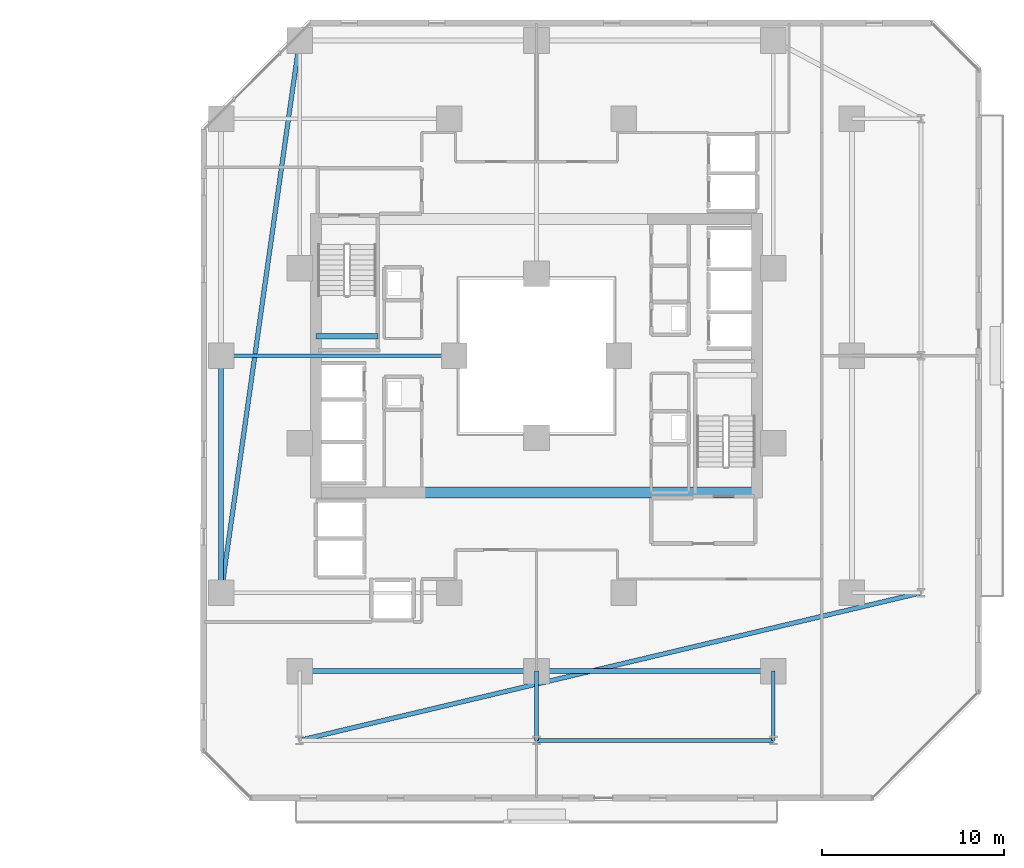
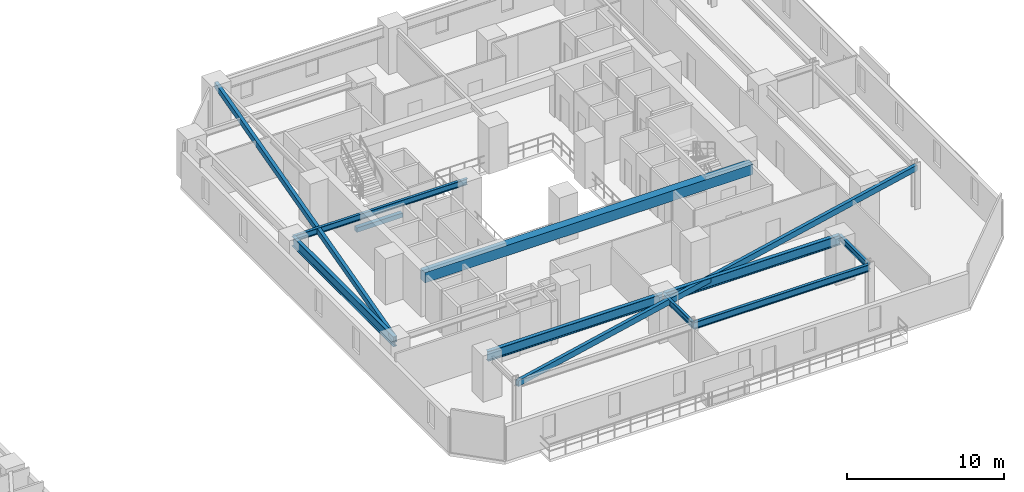
# One storey, part 11 of 33: 11 beams.
"""IFC4 building model written with IfcOpenShell, lengths in metres."""

from ifc_helpers import new_model, si_unit, direction, frame, origin, origin_2d, place, context, subcontext, project, spatial, rectangle, hollow_rectangle, i_section, extrude, material, material_profile, profile_set, type_object, element, save


model = new_model("IFC4")

# Units and contexts
model_context = context("Model", 3, precision=1e-05, world=origin(), true_north=direction((0.0, 1.0)))
body_context = subcontext(model_context, "Body", "Model", "MODEL_VIEW")
ifc_project = project(units=[si_unit("LENGTHUNIT", "METRE"), si_unit("AREAUNIT", "SQUARE_METRE"), si_unit("VOLUMEUNIT", "CUBIC_METRE"), si_unit("PLANEANGLEUNIT", "RADIAN"), si_unit("MASSUNIT", "GRAM", prefix="KILO")], contexts=[model_context])

# Site, building, storey
site_placement = place(None, origin())
site = spatial("IfcSite", under=ifc_project, at=site_placement, CompositionType="ELEMENT")
building_placement = place(site_placement, origin())
building = spatial("IfcBuilding", under=site, at=building_placement, Name="Thornwick Lancets Civic Towers", CompositionType="ELEMENT")
storey_placement = place(building_placement, frame((0.0, 0.0, 31.5)))
storey = spatial("IfcBuildingStorey", under=building, at=storey_placement, Name="L07", CompositionType="ELEMENT", Elevation=31.5)

# Beams
ifc_material_1 = material(Name="Concrete C60/75", Category="concrete")
ifc_material_profile_1 = material_profile(ifc_material_1, rectangle(XDim=0.60009765625, YDim=0.800048828125, at=origin_2d()), Name="RC 600x800")
ifc_profile_set_1 = profile_set([ifc_material_profile_1], Name="Concrete C60/75")
beam_type_1 = type_object("IfcBeamType", Name="BM_COUP_RC800", PredefinedType="BEAM", material=ifc_profile_set_1)
beam_1_placement = place(storey_placement, frame((76.39990234375, 19.5, 2.9599609375), z_axis=(1.0, 0.0, 0.0), x_axis=(0.0, 1.0, 0.0)))
element("IfcBeam", 1, at=beam_1_placement, inside=storey, type_object=beam_type_1, Name="CB-L07-B2", PredefinedType="BEAM", context=body_context, shape_type="SweptSolid", body=[
    extrude(rectangle(XDim=0.60009765625, YDim=0.800048828125, at=origin_2d()), origin(), (0.0, 0.0, 1.0), 24.2001953125),
])
ifc_material_2 = material(Name="Steel S355JR", Category="steel")
ifc_material_profile_2 = material_profile(ifc_material_2, i_section(OverallWidth=0.2119140625, OverallDepth=0.54443359375, WebThickness=0.0126953125, FlangeThickness=0.021240234375, FilletRadius=0.0126953125, at=origin_2d()), Name="UKB 533x210x122")
ifc_profile_set_2 = profile_set([ifc_material_profile_2], Name="Steel S355JR")
beam_type_2 = type_object("IfcBeamType", Name="BM_EDGE_533_122", PredefinedType="SPANDREL", material=ifc_profile_set_2)
beam_2_placement = place(storey_placement, frame((101.5, 5.89990234375, 3.087646484375), z_axis=(-1.0, 0.0, 0.0), x_axis=(0.0, -1.0, 0.0)))
element("IfcBeam", 2, at=beam_2_placement, inside=storey, type_object=beam_type_2, Name="BM-EDGE-L07-B-S3-1", PredefinedType="SPANDREL", context=body_context, shape_type="SweptSolid", body=[
    extrude(i_section(OverallWidth=0.2119140625, OverallDepth=0.54443359375, WebThickness=0.0126953125, FlangeThickness=0.021240234375, FilletRadius=0.0126953125, at=origin_2d()), origin(), (0.0, 0.0, 1.0), 13.0),
])
ifc_material_profile_3 = material_profile(ifc_material_2, i_section(OverallWidth=0.26806640625, OverallDepth=0.769775390625, WebThickness=0.015625, FlangeThickness=0.025390625, FilletRadius=0.0166015625, at=origin_2d()), Name="UKB 762x267x197")
ifc_profile_set_3 = profile_set([ifc_material_profile_3], Name="Steel S355JR")
beam_type_3 = type_object("IfcBeamType", Name="BM_GIRD_762_197", PredefinedType="BEAM", material=ifc_profile_set_3)
for number, where, z_axis, x_axis, name in (
    (3, (71.199951171875, 14.0, 2.97509765625), (0.0, 1.0, 0.0), (-1.0, 0.0, 0.0), "BM-SPINE-L07-B-6-7"),
    (4, (101.5, 9.699951171875, 2.97509765625), (-1.0, 0.0, 0.0), (0.0, -1.0, 0.0), "BM-SPINE-L07-B-9-10"),
):
    element("IfcBeam", number, at=place(storey_placement, frame(where, z_axis=z_axis, x_axis=x_axis)), inside=storey, type_object=beam_type_3, Name=name, PredefinedType="BEAM", context=body_context, shape_type="SweptSolid", body=[
        extrude(i_section(OverallWidth=0.26806640625, OverallDepth=0.769775390625, WebThickness=0.015625, FlangeThickness=0.025390625, FilletRadius=0.0166015625, at=origin_2d()), origin(), (0.0, 0.0, 1.0), 13.0),
    ])
beam_3_placement = place(storey_placement, frame((88.419921875, 9.699951171875, 2.97509765625), z_axis=(-1.0, 0.0, 0.0), x_axis=(0.0, -1.0, 0.0)))
element("IfcBeam", 5, at=beam_3_placement, inside=storey, type_object=beam_type_3, Name="BM-SPINE-L07-B-10-11", PredefinedType="BEAM", context=body_context, shape_type="SweptSolid", body=[
    extrude(i_section(OverallWidth=0.26806640625, OverallDepth=0.769775390625, WebThickness=0.015625, FlangeThickness=0.025390625, FilletRadius=0.0166015625, at=origin_2d()), origin(), (0.0, 0.0, 1.0), 12.919921875),
])
ifc_material_profile_4 = material_profile(ifc_material_2, i_section(OverallWidth=0.19287109375, OverallDepth=0.46728515625, WebThickness=0.011474609375, FlangeThickness=0.01953125, FilletRadius=0.01025390625, at=origin_2d()), Name="UKB 457x191x98")
ifc_profile_set_4 = profile_set([ifc_material_profile_4], Name="Steel S355JR")
beam_type_4 = type_object("IfcBeamType", Name="BM_JOIST_457_98", PredefinedType="JOIST", material=ifc_profile_set_4)
beam_4_placement = place(storey_placement, frame((84.0, 27.0, 3.12646484375), z_axis=(-1.0, 0.0, 0.0), x_axis=(0.0, -1.0, 0.0)))
element("IfcBeam", 6, at=beam_4_placement, inside=storey, type_object=beam_type_4, Name="BM-RADIN-L07-B08", PredefinedType="JOIST", context=body_context, shape_type="SweptSolid", body=[
    extrude(i_section(OverallWidth=0.19287109375, OverallDepth=0.46728515625, WebThickness=0.011474609375, FlangeThickness=0.01953125, FilletRadius=0.01025390625, at=origin_2d()), origin(), (0.0, 0.0, 1.0), 12.800048828125),
])
for number, where, z_axis, x_axis, name in (
    (7, (101.5, 9.699951171875, 3.12646484375), (0.0, -1.0, 0.0), (1.0, 0.0, 0.0), "BM-RAD-L07-B10"),
    (8, (88.5, 9.699951171875, 3.12646484375), (0.0, -1.0, 0.0), (1.0, 0.0, 0.0), "BM-RAD-L07-B11"),
):
    element("IfcBeam", number, at=place(storey_placement, frame(where, z_axis=z_axis, x_axis=x_axis)), inside=storey, type_object=beam_type_4, Name=name, PredefinedType="JOIST", context=body_context, shape_type="SweptSolid", body=[
        extrude(i_section(OverallWidth=0.19287109375, OverallDepth=0.46728515625, WebThickness=0.011474609375, FlangeThickness=0.01953125, FilletRadius=0.01025390625, at=origin_2d()), origin(), (0.0, 0.0, 1.0), 3.800048828125),
    ])
ifc_material_profile_5 = material_profile(ifc_material_2, hollow_rectangle(XDim=0.25, YDim=0.449951171875, WallThickness=0.01611328125, at=origin_2d()), Name="RHS 450x250x16")
ifc_profile_set_5 = profile_set([ifc_material_profile_5], Name="Steel S355JR")
beam_type_5 = type_object("IfcBeamType", Name="BM_RING_RHS450", PredefinedType="BEAM", material=ifc_profile_set_5)
beam_5_placement = place(storey_placement, frame((75.5, 44.300048828125, 3.135009765625), z_axis=(-0.140507712682, -0.990079584012, 0.0), x_axis=(0.990079584012, -0.140507712682, 0.0)))
element("IfcBeam", 9, at=beam_5_placement, inside=storey, type_object=beam_type_5, Name="BM-CHAMF-L07-B-C1", PredefinedType="BEAM", context=body_context, shape_type="SweptSolid", body=[
    extrude(hollow_rectangle(XDim=0.25, YDim=0.449951171875, WallThickness=0.01611328125, at=origin_2d()), origin(), (0.0, 0.0, 1.0), 30.603759765625),
])
beam_6_placement = place(storey_placement, frame((75.5, 5.89990234375, 3.135009765625), z_axis=(0.972928054394, 0.231108201875, 0.0), x_axis=(-0.231108201875, 0.972928054394, 0.0)))
element("IfcBeam", 10, at=beam_6_placement, inside=storey, type_object=beam_type_5, Name="BM-CHAMF-L07-B-C3", PredefinedType="BEAM", context=body_context, shape_type="SweptSolid", body=[
    extrude(hollow_rectangle(XDim=0.25, YDim=0.449951171875, WallThickness=0.01611328125, at=origin_2d()), origin(), (0.0, 0.0, 1.0), 35.048828125),
])
ifc_material_3 = material(Name="Concrete C40/50", Category="concrete")
ifc_material_profile_6 = material_profile(ifc_material_3, rectangle(XDim=0.300048828125, YDim=0.35009765625, at=origin_2d()), Name="RC 300x350")
ifc_profile_set_6 = profile_set([ifc_material_profile_6], Name="Concrete C40/50")
beam_type_6 = type_object("IfcBeamType", Name="BM_STAIR_LDG", PredefinedType="BEAM", material=ifc_profile_set_6)
beam_7_placement = place(storey_placement, frame((76.39990234375, 28.06494140625, 1.3779296875), z_axis=(1.0, 0.0, 0.0), x_axis=(0.0, 1.0, 0.0)))
element("IfcBeam", 11, at=beam_7_placement, inside=storey, type_object=beam_type_6, Name="L07 ST-B2 Landing Support Beam 1", PredefinedType="BEAM", context=body_context, shape_type="SweptSolid", body=[
    extrude(rectangle(XDim=0.300048828125, YDim=0.35009765625, at=origin_2d()), origin(), (0.0, 0.0, 1.0), 3.400146484375),
])

save(model, "model.ifc")
